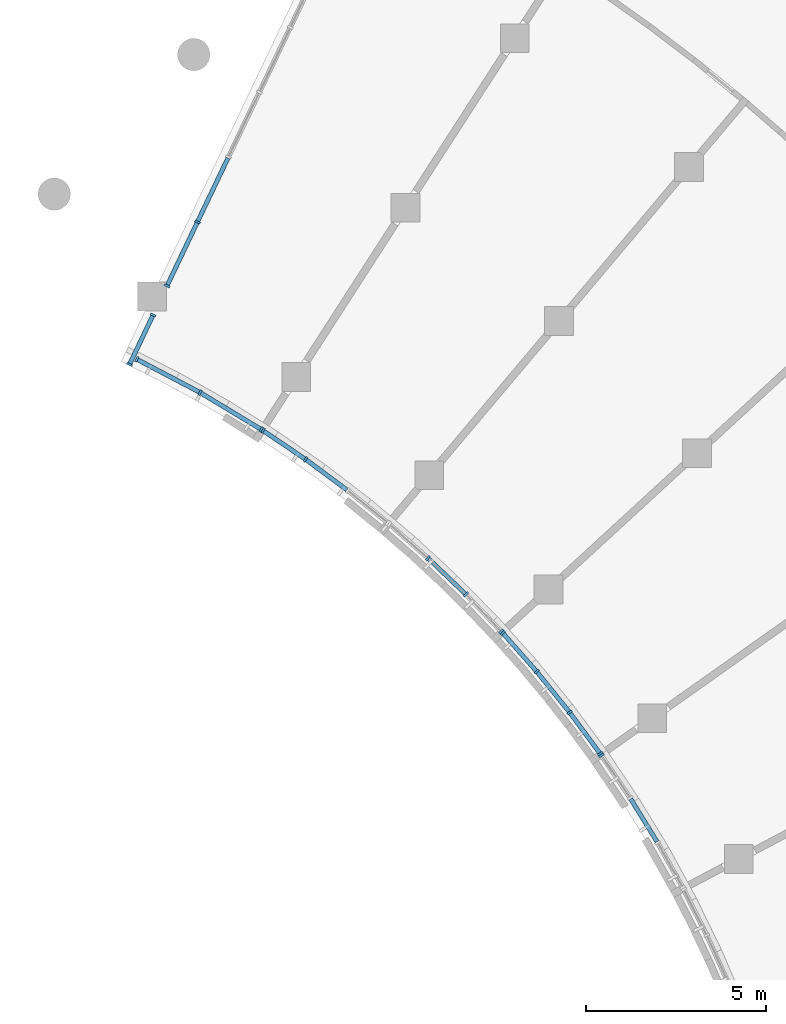
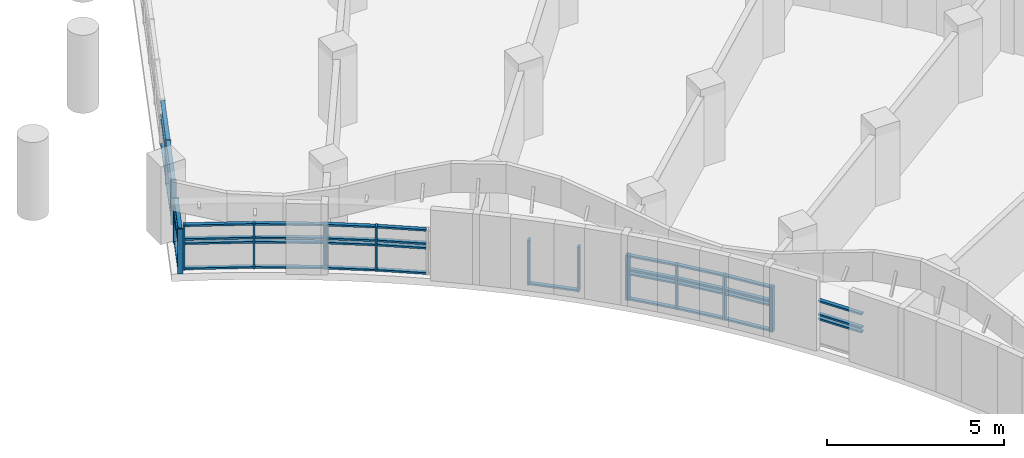
# One storey, part 7 of 89: 61 members, 7 elements without a shape of their own.
"""IFC4 building model written with IfcOpenShell, lengths in metres."""

from ifc_helpers import new_model, si_unit, direction, frame, origin, origin_2d, place, context, subcontext, project, spatial, rectangle, extrude, material, material_profile, profile_set, type_object, element, aggregate, save


model = new_model("IFC4")

# Units and contexts
model_context = context("Model", 3, precision=1e-05, world=origin(), true_north=direction((0.0, 1.0)))
body_context = subcontext(model_context, "Body", "Model", "MODEL_VIEW")
ifc_project = project(units=[si_unit("LENGTHUNIT", "METRE"), si_unit("AREAUNIT", "SQUARE_METRE"), si_unit("VOLUMEUNIT", "CUBIC_METRE"), si_unit("PLANEANGLEUNIT", "RADIAN"), si_unit("MASSUNIT", "GRAM", prefix="KILO")], contexts=[model_context])

# Site, building, storey
site_placement = place(None, origin())
site = spatial("IfcSite", under=ifc_project, at=site_placement, CompositionType="ELEMENT")
building_placement = place(site_placement, origin())
building = spatial("IfcBuilding", under=site, at=building_placement, Name="Bougainvillea Quay General Hospital", CompositionType="ELEMENT")
storey_placement = place(building_placement, frame((0.0, 0.0, 9.89990234375)))
storey = spatial("IfcBuildingStorey", under=building, at=storey_placement, Name="L01M", CompositionType="ELEMENT", Elevation=9.89990234375)

# Curtain wall, members
ifc_material_1 = material(Name="Aluminium curtain wall system, powder-coated glazed", Category="aluminium")
curtain_wall_type_1 = type_object("IfcCurtainWallType", Name="Unitised curtain wall CW-1997", PredefinedType="NOTDEFINED", material=ifc_material_1)
curtain_wall_1_placement = place(storey_placement, origin())
curtain_wall_1 = element("IfcCurtainWall", 1, at=curtain_wall_1_placement, inside=storey, type_object=curtain_wall_type_1, Name="CW-AE 02", PredefinedType="NOTDEFINED")
ifc_material_2 = material(Name="Aluminium mullion, powder-coated charcoal", Category="aluminium")
ifc_material_profile_1 = material_profile(ifc_material_2, rectangle(XDim=0.159912109375, YDim=0.06005859375, at=origin_2d()))
ifc_profile_set_1 = profile_set([ifc_material_profile_1], Name="Aluminium mullion, powder-coated charcoal")
member_type_1 = type_object("IfcMemberType", Name="Curtain wall mullion 160x60", PredefinedType="MULLION", material=ifc_profile_set_1)
member_1_placement = place(storey_placement, frame((125.9638671875, 56.566162109375, 0.0), z_axis=(0.0, 0.0, 1.0), x_axis=(0.902578440897, -0.430525444112, 0.0)))
member_1 = element("IfcMember", 2, at=member_1_placement, type_object=member_type_1, Name="CW-AE mullion 10", PredefinedType="MULLION", context=body_context, shape_type="SweptSolid", body=[
    extrude(rectangle(XDim=0.159912109375, YDim=0.06005859375, at=origin_2d()), origin(), (0.0, 0.0, 1.0), 1.550048828125),
])
member_2_placement = place(storey_placement, frame((125.117431640625, 54.79150390625, 0.0), z_axis=(0.0, 0.0, 1.0), x_axis=(0.902578440897, -0.430525444112, 0.0)))
member_2 = element("IfcMember", 3, at=member_2_placement, type_object=member_type_1, Name="CW-AE mullion 11", PredefinedType="MULLION", context=body_context, shape_type="SweptSolid", body=[
    extrude(rectangle(XDim=0.159912109375, YDim=0.06005859375, at=origin_2d()), origin(), (0.0, 0.0, 1.0), 1.550048828125),
])

curtain_wall_type_2 = type_object("IfcCurtainWallType", Name="Unitised curtain wall CW-1580", PredefinedType="NOTDEFINED", material=ifc_material_1)
curtain_wall_2_placement = place(storey_placement, origin())
curtain_wall_2 = element("IfcCurtainWall", 4, at=curtain_wall_2_placement, inside=storey, type_object=curtain_wall_type_2, Name="CW-AE 03", PredefinedType="NOTDEFINED")
member_3_placement = place(storey_placement, frame((124.72998046875, 53.979248046875, 0.0), z_axis=(0.0, 0.0, 1.0), x_axis=(0.902578440897, -0.430525444112, 0.0)))
member_3 = element("IfcMember", 5, at=member_3_placement, type_object=member_type_1, Name="CW-AE mullion 1", PredefinedType="MULLION", context=body_context, shape_type="SweptSolid", body=[
    extrude(rectangle(XDim=0.159912109375, YDim=0.06005859375, at=origin_2d()), origin(), (0.0, 0.0, 1.0), 1.550048828125),
])
member_4_placement = place(storey_placement, frame((124.075439453125, 52.607421875, 0.0), z_axis=(0.0, 0.0, 1.0), x_axis=(0.902578440897, -0.430525444112, 0.0)))
member_4 = element("IfcMember", 6, at=member_4_placement, type_object=member_type_1, Name="CW-AE mullion 2", PredefinedType="MULLION", context=body_context, shape_type="SweptSolid", body=[
    extrude(rectangle(XDim=0.159912109375, YDim=0.06005859375, at=origin_2d()), origin(), (0.0, 0.0, 1.0), 1.550048828125),
])

curtain_wall_type_3 = type_object("IfcCurtainWallType", Name="Unitised curtain wall CW-2100", PredefinedType="NOTDEFINED", material=ifc_material_1)
curtain_wall_3_placement = place(storey_placement, origin())
curtain_wall_3 = element("IfcCurtainWall", 7, at=curtain_wall_3_placement, inside=storey, type_object=curtain_wall_type_3, Name="CW-E01 a12b0", PredefinedType="NOTDEFINED")
member_5_placement = place(storey_placement, frame((124.279541015625, 52.750732421875, 0.0), z_axis=(0.0, 0.0, 1.0), x_axis=(0.46572625668, 0.884928841116, 0.0)))
member_5 = element("IfcMember", 8, at=member_5_placement, type_object=member_type_1, Name="CW-E01 mullion 1", PredefinedType="MULLION", context=body_context, shape_type="SweptSolid", body=[
    extrude(rectangle(XDim=0.159912109375, YDim=0.06005859375, at=origin_2d()), origin(), (0.0, 0.0, 1.0), 1.550048828125),
])
member_6_placement = place(storey_placement, frame((126.035400390625, 51.82666015625, 0.0), z_axis=(0.0, 0.0, 1.0), x_axis=(0.491544628503, 0.870852385993, 0.0)))
member_6 = element("IfcMember", 9, at=member_6_placement, type_object=member_type_1, Name="CW-E01 mullion 2", PredefinedType="MULLION", context=body_context, shape_type="SweptSolid", body=[
    extrude(rectangle(XDim=0.159912109375, YDim=0.06005859375, at=origin_2d()), origin(), (0.0, 0.0, 1.0), 1.550048828125),
])
member_7_placement = place(storey_placement, frame((127.73388671875, 50.801025390625, 0.0), z_axis=(0.0, 0.0, 1.0), x_axis=(0.516937944525, 0.856022874409, 0.0)))
member_7 = element("IfcMember", 10, at=member_7_placement, type_object=member_type_1, Name="CW-E01 mullion 3", PredefinedType="MULLION", context=body_context, shape_type="SweptSolid", body=[
    extrude(rectangle(XDim=0.159912109375, YDim=0.06005859375, at=origin_2d()), origin(), (0.0, 0.0, 1.0), 1.550048828125),
])

curtain_wall_4_placement = place(storey_placement, origin())
curtain_wall_4 = element("IfcCurtainWall", 11, at=curtain_wall_4_placement, inside=storey, type_object=curtain_wall_type_3, Name="CW-E02 a12b1", PredefinedType="NOTDEFINED")
member_8_placement = place(storey_placement, frame((127.784423828125, 50.7685546875, 0.0), z_axis=(0.0, 0.0, 1.0), x_axis=(0.559636552705, 0.828738154592, 0.0)))
member_8 = element("IfcMember", 12, at=member_8_placement, type_object=member_type_1, Name="CW-E02 mullion 1", PredefinedType="MULLION", context=body_context, shape_type="SweptSolid", body=[
    extrude(rectangle(XDim=0.159912109375, YDim=0.06005859375, at=origin_2d()), origin(), (0.0, 0.0, 1.0), 1.550048828125),
])
member_9_placement = place(storey_placement, frame((128.966796875, 49.97021484375, 0.0), z_axis=(0.0, 0.0, 1.0), x_axis=(0.577135687937, 0.816648270499, 0.0)))
member_9 = element("IfcMember", 13, at=member_9_placement, type_object=member_type_1, Name="CW-E02 mullion 2", PredefinedType="MULLION", context=body_context, shape_type="SweptSolid", body=[
    extrude(rectangle(XDim=0.159912109375, YDim=0.06005859375, at=origin_2d()), origin(), (0.0, 0.0, 1.0), 1.550048828125),
])

curtain_wall_5_placement = place(storey_placement, origin())
curtain_wall_5 = element("IfcCurtainWall", 14, at=curtain_wall_5_placement, inside=storey, type_object=curtain_wall_type_3, Name="CW-E03 a12b2", PredefinedType="NOTDEFINED")
member_10_placement = place(storey_placement, frame((132.365966796875, 47.226806640625, 0.0), z_axis=(0.0, 0.0, 1.0), x_axis=(0.676379052625, 0.736553716419, 0.0)))
member_10 = element("IfcMember", 15, at=member_10_placement, type_object=member_type_1, Name="CW-E03 mullion 2", PredefinedType="MULLION", context=body_context, shape_type="SweptSolid", body=[
    extrude(rectangle(XDim=0.159912109375, YDim=0.06005859375, at=origin_2d()), origin(), (0.0, 0.0, 1.0), 1.550048828125),
])
member_11_placement = place(storey_placement, frame((133.417724609375, 46.218994140625, 0.0), z_axis=(0.0, 0.0, 1.0), x_axis=(0.707090325877, 0.707123236113, 0.0)))
member_11 = element("IfcMember", 16, at=member_11_placement, type_object=member_type_1, Name="CW-E03 mullion 3", PredefinedType="MULLION", context=body_context, shape_type="SweptSolid", body=[
    extrude(rectangle(XDim=0.159912109375, YDim=0.06005859375, at=origin_2d()), origin(), (0.0, 0.0, 1.0), 1.550048828125),
])
member_12_placement = place(storey_placement, frame((134.405029296875, 45.188720703125, 0.0), z_axis=(0.0, 0.0, 1.0), x_axis=(0.721969584803, 0.691924792604, 0.0)))
member_12 = element("IfcMember", 17, at=member_12_placement, type_object=member_type_1, Name="CW-E03 mullion 4", PredefinedType="MULLION", context=body_context, shape_type="SweptSolid", body=[
    extrude(rectangle(XDim=0.159912109375, YDim=0.06005859375, at=origin_2d()), origin(), (0.0, 0.0, 1.0), 1.550048828125),
])

curtain_wall_6_placement = place(storey_placement, origin())
curtain_wall_6 = element("IfcCurtainWall", 18, at=curtain_wall_6_placement, inside=storey, type_object=curtain_wall_type_3, Name="CW-E04 a12b3", PredefinedType="NOTDEFINED")
member_13_placement = place(storey_placement, frame((134.445556640625, 45.14453125, 0.0), z_axis=(0.0, 0.0, 1.0), x_axis=(0.750741694576, 0.660595873455, 0.0)))
member_13 = element("IfcMember", 19, at=member_13_placement, type_object=member_type_1, Name="CW-E04 mullion 1", PredefinedType="MULLION", context=body_context, shape_type="SweptSolid", body=[
    extrude(rectangle(XDim=0.159912109375, YDim=0.06005859375, at=origin_2d()), origin(), (0.0, 0.0, 1.0), 1.550048828125),
])
member_14_placement = place(storey_placement, frame((135.38818359375, 44.073486328125, 0.0), z_axis=(0.0, 0.0, 1.0), x_axis=(0.764621529328, 0.644479570575, 0.0)))
member_14 = element("IfcMember", 20, at=member_14_placement, type_object=member_type_1, Name="CW-E04 mullion 2", PredefinedType="MULLION", context=body_context, shape_type="SweptSolid", body=[
    extrude(rectangle(XDim=0.159912109375, YDim=0.06005859375, at=origin_2d()), origin(), (0.0, 0.0, 1.0), 1.550048828125),
])
member_15_placement = place(storey_placement, frame((136.30322265625, 42.939697265625, 0.0), z_axis=(0.0, 0.0, 1.0), x_axis=(0.791337366302, 0.611379728723, 0.0)))
member_15 = element("IfcMember", 21, at=member_15_placement, type_object=member_type_1, Name="CW-E04 mullion 3", PredefinedType="MULLION", context=body_context, shape_type="SweptSolid", body=[
    extrude(rectangle(XDim=0.159912109375, YDim=0.06005859375, at=origin_2d()), origin(), (0.0, 0.0, 1.0), 1.550048828125),
])
member_16_placement = place(storey_placement, frame((137.1513671875, 41.792236328125, 0.0), z_axis=(0.0, 0.0, 1.0), x_axis=(0.804161282658, 0.594411163652, 0.0)))
member_16 = element("IfcMember", 22, at=member_16_placement, type_object=member_type_1, Name="CW-E04 mullion 4", PredefinedType="MULLION", context=body_context, shape_type="SweptSolid", body=[
    extrude(rectangle(XDim=0.159912109375, YDim=0.06005859375, at=origin_2d()), origin(), (0.0, 0.0, 1.0), 1.550048828125),
])

# Curtain wall, member
curtain_wall_7_placement = place(storey_placement, origin())
curtain_wall_7 = element("IfcCurtainWall", 23, at=curtain_wall_7_placement, inside=storey, type_object=curtain_wall_type_3, Name="CW-E05 a12b4", PredefinedType="NOTDEFINED")
member_17_placement = place(storey_placement, frame((137.18603515625, 41.743408203125, 0.0), z_axis=(0.0, 0.0, 1.0), x_axis=(0.828712107033, 0.559675123314, 0.0)))
member_17 = element("IfcMember", 24, at=member_17_placement, type_object=member_type_1, Name="CW-E05 mullion 1", PredefinedType="MULLION", context=body_context, shape_type="SweptSolid", body=[
    extrude(rectangle(XDim=0.159912109375, YDim=0.06005859375, at=origin_2d()), origin(), (0.0, 0.0, 1.0), 1.550048828125),
])

# Member
ifc_material_3 = material(Name="Aluminium transom, powder-coated charcoal", Category="aluminium")
ifc_material_profile_2 = material_profile(ifc_material_3, rectangle(XDim=0.1201171875, YDim=0.06005859375, at=origin_2d()))
ifc_profile_set_2 = profile_set([ifc_material_profile_2], Name="Aluminium transom, powder-coated charcoal")
member_type_2 = type_object("IfcMemberType", Name="Curtain wall transom 120x60", PredefinedType="USERDEFINED", material=ifc_profile_set_2)
member_18_placement = place(storey_placement, frame((126.810302734375, 58.340576171875, 0.030029296875), z_axis=(-0.430491490236, -0.902594635944, 0.0), x_axis=(0.902594635944, -0.430491490236, 0.0)))
member_18 = element("IfcMember", 25, at=member_18_placement, type_object=member_type_2, Name="CW-AE transom 9.1", ObjectType="TRANSOM", PredefinedType="USERDEFINED", context=body_context, shape_type="SweptSolid", body=[
    extrude(rectangle(XDim=0.1201171875, YDim=0.06005859375, at=origin_2d()), origin(), (0.0, 0.0, 1.0), 1.93603515625),
])

member_19_placement = place(storey_placement, frame((126.810302734375, 58.340576171875, 0.900146484375), z_axis=(-0.430491490236, -0.902594635944, 0.0), x_axis=(0.902594635944, -0.430491490236, 0.0)))
member_19 = element("IfcMember", 26, at=member_19_placement, type_object=member_type_2, Name="CW-AE transom 9.2", ObjectType="TRANSOM", PredefinedType="USERDEFINED", context=body_context, shape_type="SweptSolid", body=[
    extrude(rectangle(XDim=0.1201171875, YDim=0.06005859375, at=origin_2d()), origin(), (0.0, 0.0, 1.0), 1.93603515625),
])

member_20_placement = place(storey_placement, frame((126.810302734375, 58.340576171875, 1.050048828125), z_axis=(-0.430491490236, -0.902594635944, 0.0), x_axis=(0.902594635944, -0.430491490236, 0.0)))
member_20 = element("IfcMember", 27, at=member_20_placement, type_object=member_type_2, Name="CW-AE transom 9.3", ObjectType="TRANSOM", PredefinedType="USERDEFINED", context=body_context, shape_type="SweptSolid", body=[
    extrude(rectangle(XDim=0.1201171875, YDim=0.06005859375, at=origin_2d()), origin(), (0.0, 0.0, 1.0), 1.93603515625),
])

member_21_placement = place(storey_placement, frame((126.810302734375, 58.340576171875, 1.52001953125), z_axis=(-0.430491490236, -0.902594635944, 0.0), x_axis=(0.902594635944, -0.430491490236, 0.0)))
member_21 = element("IfcMember", 28, at=member_21_placement, type_object=member_type_2, Name="CW-AE transom 9.4", ObjectType="TRANSOM", PredefinedType="USERDEFINED", context=body_context, shape_type="SweptSolid", body=[
    extrude(rectangle(XDim=0.1201171875, YDim=0.06005859375, at=origin_2d()), origin(), (0.0, 0.0, 1.0), 1.93603515625),
])

member_22_placement = place(storey_placement, frame((125.950927734375, 56.5390625, 0.030029296875), z_axis=(-0.430485367667, -0.90259755607, 0.0), x_axis=(0.90259755607, -0.430485367667, 0.0)))
member_22 = element("IfcMember", 29, at=member_22_placement, type_object=member_type_2, Name="CW-AE transom 10.1", ObjectType="TRANSOM", PredefinedType="USERDEFINED", context=body_context, shape_type="SweptSolid", body=[
    extrude(rectangle(XDim=0.1201171875, YDim=0.06005859375, at=origin_2d()), origin(), (0.0, 0.0, 1.0), 1.906005859375),
])

member_23_placement = place(storey_placement, frame((125.950927734375, 56.5390625, 0.900146484375), z_axis=(-0.430485367667, -0.90259755607, 0.0), x_axis=(0.90259755607, -0.430485367667, 0.0)))
member_23 = element("IfcMember", 30, at=member_23_placement, type_object=member_type_2, Name="CW-AE transom 10.2", ObjectType="TRANSOM", PredefinedType="USERDEFINED", context=body_context, shape_type="SweptSolid", body=[
    extrude(rectangle(XDim=0.1201171875, YDim=0.06005859375, at=origin_2d()), origin(), (0.0, 0.0, 1.0), 1.906005859375),
])

member_24_placement = place(storey_placement, frame((125.950927734375, 56.5390625, 1.050048828125), z_axis=(-0.430485367667, -0.90259755607, 0.0), x_axis=(0.90259755607, -0.430485367667, 0.0)))
member_24 = element("IfcMember", 31, at=member_24_placement, type_object=member_type_2, Name="CW-AE transom 10.3", ObjectType="TRANSOM", PredefinedType="USERDEFINED", context=body_context, shape_type="SweptSolid", body=[
    extrude(rectangle(XDim=0.1201171875, YDim=0.06005859375, at=origin_2d()), origin(), (0.0, 0.0, 1.0), 1.906005859375),
])

member_25_placement = place(storey_placement, frame((125.950927734375, 56.5390625, 1.52001953125), z_axis=(-0.430485367667, -0.90259755607, 0.0), x_axis=(0.90259755607, -0.430485367667, 0.0)))
member_25 = element("IfcMember", 32, at=member_25_placement, type_object=member_type_2, Name="CW-AE transom 10.4", ObjectType="TRANSOM", PredefinedType="USERDEFINED", context=body_context, shape_type="SweptSolid", body=[
    extrude(rectangle(XDim=0.1201171875, YDim=0.06005859375, at=origin_2d()), origin(), (0.0, 0.0, 1.0), 1.906005859375),
])

aggregate(curtain_wall_1, [member_1, member_2, member_18, member_19, member_20, member_21, member_22, member_23, member_24, member_25])

member_26_placement = place(storey_placement, frame((124.717041015625, 53.9521484375, 0.030029296875), z_axis=(-0.430615048018, -0.902535694818, 0.0), x_axis=(0.902535694818, -0.430615048018, 0.0)))
member_26 = element("IfcMember", 33, at=member_26_placement, type_object=member_type_2, Name="CW-AE transom 1.1", ObjectType="TRANSOM", PredefinedType="USERDEFINED", context=body_context, shape_type="SweptSolid", body=[
    extrude(rectangle(XDim=0.1201171875, YDim=0.06005859375, at=origin_2d()), origin(), (0.0, 0.0, 1.0), 1.4599609375),
])

member_27_placement = place(storey_placement, frame((124.717041015625, 53.9521484375, 0.900146484375), z_axis=(-0.430615048018, -0.902535694818, 0.0), x_axis=(0.902535694818, -0.430615048018, 0.0)))
member_27 = element("IfcMember", 34, at=member_27_placement, type_object=member_type_2, Name="CW-AE transom 1.2", ObjectType="TRANSOM", PredefinedType="USERDEFINED", context=body_context, shape_type="SweptSolid", body=[
    extrude(rectangle(XDim=0.1201171875, YDim=0.06005859375, at=origin_2d()), origin(), (0.0, 0.0, 1.0), 1.4599609375),
])

member_28_placement = place(storey_placement, frame((124.717041015625, 53.9521484375, 1.050048828125), z_axis=(-0.430615048018, -0.902535694818, 0.0), x_axis=(0.902535694818, -0.430615048018, 0.0)))
member_28 = element("IfcMember", 35, at=member_28_placement, type_object=member_type_2, Name="CW-AE transom 1.3", ObjectType="TRANSOM", PredefinedType="USERDEFINED", context=body_context, shape_type="SweptSolid", body=[
    extrude(rectangle(XDim=0.1201171875, YDim=0.06005859375, at=origin_2d()), origin(), (0.0, 0.0, 1.0), 1.4599609375),
])

member_29_placement = place(storey_placement, frame((124.717041015625, 53.9521484375, 1.52001953125), z_axis=(-0.430615048018, -0.902535694818, 0.0), x_axis=(0.902535694818, -0.430615048018, 0.0)))
member_29 = element("IfcMember", 36, at=member_29_placement, type_object=member_type_2, Name="CW-AE transom 1.4", ObjectType="TRANSOM", PredefinedType="USERDEFINED", context=body_context, shape_type="SweptSolid", body=[
    extrude(rectangle(XDim=0.1201171875, YDim=0.06005859375, at=origin_2d()), origin(), (0.0, 0.0, 1.0), 1.4599609375),
])

aggregate(curtain_wall_2, [member_3, member_4, member_26, member_27, member_28, member_29])

member_30_placement = place(storey_placement, frame((124.30615234375, 52.73681640625, 0.030029296875), z_axis=(0.884893449726, -0.465793497841, 0.0), x_axis=(0.465793497841, 0.884893449726, 0.0)))
member_30 = element("IfcMember", 37, at=member_30_placement, type_object=member_type_2, Name="CW-E01 transom 1.1", ObjectType="TRANSOM", PredefinedType="USERDEFINED", context=body_context, shape_type="SweptSolid", body=[
    extrude(rectangle(XDim=0.1201171875, YDim=0.06005859375, at=origin_2d()), origin(), (0.0, 0.0, 1.0), 1.924072265625),
])

member_31_placement = place(storey_placement, frame((124.30615234375, 52.73681640625, 0.900146484375), z_axis=(0.884893449726, -0.465793497841, 0.0), x_axis=(0.465793497841, 0.884893449726, 0.0)))
member_31 = element("IfcMember", 38, at=member_31_placement, type_object=member_type_2, Name="CW-E01 transom 1.2", ObjectType="TRANSOM", PredefinedType="USERDEFINED", context=body_context, shape_type="SweptSolid", body=[
    extrude(rectangle(XDim=0.1201171875, YDim=0.06005859375, at=origin_2d()), origin(), (0.0, 0.0, 1.0), 1.924072265625),
])

member_32_placement = place(storey_placement, frame((124.30615234375, 52.73681640625, 1.050048828125), z_axis=(0.884893449726, -0.465793497841, 0.0), x_axis=(0.465793497841, 0.884893449726, 0.0)))
member_32 = element("IfcMember", 39, at=member_32_placement, type_object=member_type_2, Name="CW-E01 transom 1.3", ObjectType="TRANSOM", PredefinedType="USERDEFINED", context=body_context, shape_type="SweptSolid", body=[
    extrude(rectangle(XDim=0.1201171875, YDim=0.06005859375, at=origin_2d()), origin(), (0.0, 0.0, 1.0), 1.924072265625),
])

member_33_placement = place(storey_placement, frame((124.30615234375, 52.73681640625, 1.52001953125), z_axis=(0.884893449726, -0.465793497841, 0.0), x_axis=(0.465793497841, 0.884893449726, 0.0)))
member_33 = element("IfcMember", 40, at=member_33_placement, type_object=member_type_2, Name="CW-E01 transom 1.4", ObjectType="TRANSOM", PredefinedType="USERDEFINED", context=body_context, shape_type="SweptSolid", body=[
    extrude(rectangle(XDim=0.1201171875, YDim=0.06005859375, at=origin_2d()), origin(), (0.0, 0.0, 1.0), 1.924072265625),
])

member_34_placement = place(storey_placement, frame((126.06103515625, 51.81103515625, 0.030029296875), z_axis=(0.856045378247, -0.516900677483, 0.0), x_axis=(0.516900677483, 0.856045378247, 0.0)))
member_34 = element("IfcMember", 41, at=member_34_placement, type_object=member_type_2, Name="CW-E01 transom 2.1", ObjectType="TRANSOM", PredefinedType="USERDEFINED", context=body_context, shape_type="SweptSolid", body=[
    extrude(rectangle(XDim=0.1201171875, YDim=0.06005859375, at=origin_2d()), origin(), (0.0, 0.0, 1.0), 1.92431640625),
])

member_35_placement = place(storey_placement, frame((126.06103515625, 51.81103515625, 0.900146484375), z_axis=(0.856045378247, -0.516900677483, 0.0), x_axis=(0.516900677483, 0.856045378247, 0.0)))
member_35 = element("IfcMember", 42, at=member_35_placement, type_object=member_type_2, Name="CW-E01 transom 2.2", ObjectType="TRANSOM", PredefinedType="USERDEFINED", context=body_context, shape_type="SweptSolid", body=[
    extrude(rectangle(XDim=0.1201171875, YDim=0.06005859375, at=origin_2d()), origin(), (0.0, 0.0, 1.0), 1.92431640625),
])

member_36_placement = place(storey_placement, frame((126.06103515625, 51.81103515625, 1.050048828125), z_axis=(0.856045378247, -0.516900677483, 0.0), x_axis=(0.516900677483, 0.856045378247, 0.0)))
member_36 = element("IfcMember", 43, at=member_36_placement, type_object=member_type_2, Name="CW-E01 transom 2.3", ObjectType="TRANSOM", PredefinedType="USERDEFINED", context=body_context, shape_type="SweptSolid", body=[
    extrude(rectangle(XDim=0.1201171875, YDim=0.06005859375, at=origin_2d()), origin(), (0.0, 0.0, 1.0), 1.92431640625),
])

member_37_placement = place(storey_placement, frame((126.06103515625, 51.81103515625, 1.52001953125), z_axis=(0.856045378247, -0.516900677483, 0.0), x_axis=(0.516900677483, 0.856045378247, 0.0)))
member_37 = element("IfcMember", 44, at=member_37_placement, type_object=member_type_2, Name="CW-E01 transom 2.4", ObjectType="TRANSOM", PredefinedType="USERDEFINED", context=body_context, shape_type="SweptSolid", body=[
    extrude(rectangle(XDim=0.1201171875, YDim=0.06005859375, at=origin_2d()), origin(), (0.0, 0.0, 1.0), 1.92431640625),
])

aggregate(curtain_wall_3, [member_5, member_6, member_7, member_30, member_31, member_32, member_33, member_34, member_35, member_36, member_37])

member_38_placement = place(storey_placement, frame((127.809326171875, 50.751953125, 0.030029296875), z_axis=(0.828627038145, -0.559801064356, 0.0), x_axis=(0.559801064356, 0.828627038145, 0.0)))
member_38 = element("IfcMember", 45, at=member_38_placement, type_object=member_type_2, Name="CW-E02 transom 1.1", ObjectType="TRANSOM", PredefinedType="USERDEFINED", context=body_context, shape_type="SweptSolid", body=[
    extrude(rectangle(XDim=0.1201171875, YDim=0.06005859375, at=origin_2d()), origin(), (0.0, 0.0, 1.0), 1.36669921875),
])

member_39_placement = place(storey_placement, frame((127.809326171875, 50.751953125, 0.900146484375), z_axis=(0.828627038145, -0.559801064356, 0.0), x_axis=(0.559801064356, 0.828627038145, 0.0)))
member_39 = element("IfcMember", 46, at=member_39_placement, type_object=member_type_2, Name="CW-E02 transom 1.2", ObjectType="TRANSOM", PredefinedType="USERDEFINED", context=body_context, shape_type="SweptSolid", body=[
    extrude(rectangle(XDim=0.1201171875, YDim=0.06005859375, at=origin_2d()), origin(), (0.0, 0.0, 1.0), 1.36669921875),
])

member_40_placement = place(storey_placement, frame((127.809326171875, 50.751953125, 1.050048828125), z_axis=(0.828627038145, -0.559801064356, 0.0), x_axis=(0.559801064356, 0.828627038145, 0.0)))
member_40 = element("IfcMember", 47, at=member_40_placement, type_object=member_type_2, Name="CW-E02 transom 1.3", ObjectType="TRANSOM", PredefinedType="USERDEFINED", context=body_context, shape_type="SweptSolid", body=[
    extrude(rectangle(XDim=0.1201171875, YDim=0.06005859375, at=origin_2d()), origin(), (0.0, 0.0, 1.0), 1.36669921875),
])

member_41_placement = place(storey_placement, frame((127.809326171875, 50.751953125, 1.52001953125), z_axis=(0.828627038145, -0.559801064356, 0.0), x_axis=(0.559801064356, 0.828627038145, 0.0)))
member_41 = element("IfcMember", 48, at=member_41_placement, type_object=member_type_2, Name="CW-E02 transom 1.4", ObjectType="TRANSOM", PredefinedType="USERDEFINED", context=body_context, shape_type="SweptSolid", body=[
    extrude(rectangle(XDim=0.1201171875, YDim=0.06005859375, at=origin_2d()), origin(), (0.0, 0.0, 1.0), 1.36669921875),
])

member_42_placement = place(storey_placement, frame((128.990966796875, 49.952392578125, 0.030029296875), z_axis=(0.804154347071, -0.594420546488, 0.0), x_axis=(0.594420546488, 0.804154347071, 0.0)))
member_42 = element("IfcMember", 49, at=member_42_placement, type_object=member_type_2, Name="CW-E02 transom 2.1", ObjectType="TRANSOM", PredefinedType="USERDEFINED", context=body_context, shape_type="SweptSolid", body=[
    extrude(rectangle(XDim=0.1201171875, YDim=0.06005859375, at=origin_2d()), origin(), (0.0, 0.0, 1.0), 1.39697265625),
])

member_43_placement = place(storey_placement, frame((128.990966796875, 49.952392578125, 0.900146484375), z_axis=(0.804154347071, -0.594420546488, 0.0), x_axis=(0.594420546488, 0.804154347071, 0.0)))
member_43 = element("IfcMember", 50, at=member_43_placement, type_object=member_type_2, Name="CW-E02 transom 2.2", ObjectType="TRANSOM", PredefinedType="USERDEFINED", context=body_context, shape_type="SweptSolid", body=[
    extrude(rectangle(XDim=0.1201171875, YDim=0.06005859375, at=origin_2d()), origin(), (0.0, 0.0, 1.0), 1.39697265625),
])

member_44_placement = place(storey_placement, frame((128.990966796875, 49.952392578125, 1.050048828125), z_axis=(0.804154347071, -0.594420546488, 0.0), x_axis=(0.594420546488, 0.804154347071, 0.0)))
member_44 = element("IfcMember", 51, at=member_44_placement, type_object=member_type_2, Name="CW-E02 transom 2.3", ObjectType="TRANSOM", PredefinedType="USERDEFINED", context=body_context, shape_type="SweptSolid", body=[
    extrude(rectangle(XDim=0.1201171875, YDim=0.06005859375, at=origin_2d()), origin(), (0.0, 0.0, 1.0), 1.39697265625),
])

member_45_placement = place(storey_placement, frame((128.990966796875, 49.952392578125, 1.52001953125), z_axis=(0.804154347071, -0.594420546488, 0.0), x_axis=(0.594420546488, 0.804154347071, 0.0)))
member_45 = element("IfcMember", 52, at=member_45_placement, type_object=member_type_2, Name="CW-E02 transom 2.4", ObjectType="TRANSOM", PredefinedType="USERDEFINED", context=body_context, shape_type="SweptSolid", body=[
    extrude(rectangle(XDim=0.1201171875, YDim=0.06005859375, at=origin_2d()), origin(), (0.0, 0.0, 1.0), 1.39697265625),
])

aggregate(curtain_wall_4, [member_8, member_9, member_38, member_39, member_40, member_41, member_42, member_43, member_44, member_45])

member_46_placement = place(storey_placement, frame((132.3876953125, 47.2060546875, 0.030029296875), z_axis=(0.722064602887, -0.69182563501, 0.0), x_axis=(0.69182563501, 0.722064602887, 0.0)))
member_46 = element("IfcMember", 53, at=member_46_placement, type_object=member_type_2, Name="CW-E03 transom 2.1", ObjectType="TRANSOM", PredefinedType="USERDEFINED", context=body_context, shape_type="SweptSolid", body=[
    extrude(rectangle(XDim=0.1201171875, YDim=0.06005859375, at=origin_2d()), origin(), (0.0, 0.0, 1.0), 1.396728515625),
])

aggregate(curtain_wall_5, [member_10, member_11, member_12, member_46])

member_47_placement = place(storey_placement, frame((134.465576171875, 45.1220703125, 0.030029296875), z_axis=(0.660563464246, -0.750770210986, 0.0), x_axis=(0.750770210986, 0.660563464246, 0.0)))
member_47 = element("IfcMember", 54, at=member_47_placement, type_object=member_type_2, Name="CW-E04 transom 1.1", ObjectType="TRANSOM", PredefinedType="USERDEFINED", context=body_context, shape_type="SweptSolid", body=[
    extrude(rectangle(XDim=0.1201171875, YDim=0.06005859375, at=origin_2d()), origin(), (0.0, 0.0, 1.0), 1.36669921875),
])

member_48_placement = place(storey_placement, frame((134.465576171875, 45.1220703125, 0.900146484375), z_axis=(0.660563464246, -0.750770210986, 0.0), x_axis=(0.750770210986, 0.660563464246, 0.0)))
member_48 = element("IfcMember", 55, at=member_48_placement, type_object=member_type_2, Name="CW-E04 transom 1.2", ObjectType="TRANSOM", PredefinedType="USERDEFINED", context=body_context, shape_type="SweptSolid", body=[
    extrude(rectangle(XDim=0.1201171875, YDim=0.06005859375, at=origin_2d()), origin(), (0.0, 0.0, 1.0), 1.36669921875),
])

member_49_placement = place(storey_placement, frame((134.465576171875, 45.1220703125, 1.050048828125), z_axis=(0.660563464246, -0.750770210986, 0.0), x_axis=(0.750770210986, 0.660563464246, 0.0)))
member_49 = element("IfcMember", 56, at=member_49_placement, type_object=member_type_2, Name="CW-E04 transom 1.3", ObjectType="TRANSOM", PredefinedType="USERDEFINED", context=body_context, shape_type="SweptSolid", body=[
    extrude(rectangle(XDim=0.1201171875, YDim=0.06005859375, at=origin_2d()), origin(), (0.0, 0.0, 1.0), 1.36669921875),
])

member_50_placement = place(storey_placement, frame((134.465576171875, 45.1220703125, 1.52001953125), z_axis=(0.660563464246, -0.750770210986, 0.0), x_axis=(0.750770210986, 0.660563464246, 0.0)))
member_50 = element("IfcMember", 57, at=member_50_placement, type_object=member_type_2, Name="CW-E04 transom 1.4", ObjectType="TRANSOM", PredefinedType="USERDEFINED", context=body_context, shape_type="SweptSolid", body=[
    extrude(rectangle(XDim=0.1201171875, YDim=0.06005859375, at=origin_2d()), origin(), (0.0, 0.0, 1.0), 1.36669921875),
])

member_51_placement = place(storey_placement, frame((135.406982421875, 44.050048828125, 0.030029296875), z_axis=(0.628141814812, -0.778098875777, 0.0), x_axis=(0.778098875777, 0.628141814812, 0.0)))
member_51 = element("IfcMember", 58, at=member_51_placement, type_object=member_type_2, Name="CW-E04 transom 2.1", ObjectType="TRANSOM", PredefinedType="USERDEFINED", context=body_context, shape_type="SweptSolid", body=[
    extrude(rectangle(XDim=0.1201171875, YDim=0.06005859375, at=origin_2d()), origin(), (0.0, 0.0, 1.0), 1.39697265625),
])

member_52_placement = place(storey_placement, frame((135.406982421875, 44.050048828125, 0.900146484375), z_axis=(0.628141814812, -0.778098875777, 0.0), x_axis=(0.778098875777, 0.628141814812, 0.0)))
member_52 = element("IfcMember", 59, at=member_52_placement, type_object=member_type_2, Name="CW-E04 transom 2.2", ObjectType="TRANSOM", PredefinedType="USERDEFINED", context=body_context, shape_type="SweptSolid", body=[
    extrude(rectangle(XDim=0.1201171875, YDim=0.06005859375, at=origin_2d()), origin(), (0.0, 0.0, 1.0), 1.39697265625),
])

member_53_placement = place(storey_placement, frame((135.406982421875, 44.050048828125, 1.050048828125), z_axis=(0.628141814812, -0.778098875777, 0.0), x_axis=(0.778098875777, 0.628141814812, 0.0)))
member_53 = element("IfcMember", 60, at=member_53_placement, type_object=member_type_2, Name="CW-E04 transom 2.3", ObjectType="TRANSOM", PredefinedType="USERDEFINED", context=body_context, shape_type="SweptSolid", body=[
    extrude(rectangle(XDim=0.1201171875, YDim=0.06005859375, at=origin_2d()), origin(), (0.0, 0.0, 1.0), 1.39697265625),
])

member_54_placement = place(storey_placement, frame((135.406982421875, 44.050048828125, 1.52001953125), z_axis=(0.628141814812, -0.778098875777, 0.0), x_axis=(0.778098875777, 0.628141814812, 0.0)))
member_54 = element("IfcMember", 61, at=member_54_placement, type_object=member_type_2, Name="CW-E04 transom 2.4", ObjectType="TRANSOM", PredefinedType="USERDEFINED", context=body_context, shape_type="SweptSolid", body=[
    extrude(rectangle(XDim=0.1201171875, YDim=0.06005859375, at=origin_2d()), origin(), (0.0, 0.0, 1.0), 1.39697265625),
])

member_55_placement = place(storey_placement, frame((136.321044921875, 42.91552734375, 0.030029296875), z_axis=(0.594441282639, -0.804139018762, 0.0), x_axis=(0.804139018762, 0.594441282639, 0.0)))
member_55 = element("IfcMember", 62, at=member_55_placement, type_object=member_type_2, Name="CW-E04 transom 3.1", ObjectType="TRANSOM", PredefinedType="USERDEFINED", context=body_context, shape_type="SweptSolid", body=[
    extrude(rectangle(XDim=0.1201171875, YDim=0.06005859375, at=origin_2d()), origin(), (0.0, 0.0, 1.0), 1.366943359375),
])

member_56_placement = place(storey_placement, frame((136.321044921875, 42.91552734375, 0.900146484375), z_axis=(0.594441282639, -0.804139018762, 0.0), x_axis=(0.804139018762, 0.594441282639, 0.0)))
member_56 = element("IfcMember", 63, at=member_56_placement, type_object=member_type_2, Name="CW-E04 transom 3.2", ObjectType="TRANSOM", PredefinedType="USERDEFINED", context=body_context, shape_type="SweptSolid", body=[
    extrude(rectangle(XDim=0.1201171875, YDim=0.06005859375, at=origin_2d()), origin(), (0.0, 0.0, 1.0), 1.366943359375),
])

member_57_placement = place(storey_placement, frame((136.321044921875, 42.91552734375, 1.050048828125), z_axis=(0.594441282639, -0.804139018762, 0.0), x_axis=(0.804139018762, 0.594441282639, 0.0)))
member_57 = element("IfcMember", 64, at=member_57_placement, type_object=member_type_2, Name="CW-E04 transom 3.3", ObjectType="TRANSOM", PredefinedType="USERDEFINED", context=body_context, shape_type="SweptSolid", body=[
    extrude(rectangle(XDim=0.1201171875, YDim=0.06005859375, at=origin_2d()), origin(), (0.0, 0.0, 1.0), 1.366943359375),
])

member_58_placement = place(storey_placement, frame((136.321044921875, 42.91552734375, 1.52001953125), z_axis=(0.594441282639, -0.804139018762, 0.0), x_axis=(0.804139018762, 0.594441282639, 0.0)))
member_58 = element("IfcMember", 65, at=member_58_placement, type_object=member_type_2, Name="CW-E04 transom 3.4", ObjectType="TRANSOM", PredefinedType="USERDEFINED", context=body_context, shape_type="SweptSolid", body=[
    extrude(rectangle(XDim=0.1201171875, YDim=0.06005859375, at=origin_2d()), origin(), (0.0, 0.0, 1.0), 1.366943359375),
])

aggregate(curtain_wall_6, [member_13, member_14, member_15, member_16, member_47, member_48, member_49, member_50, member_51, member_52, member_53, member_54, member_55, member_56, member_57, member_58])

member_59_placement = place(storey_placement, frame((138.000244140625, 40.535400390625, 0.900146484375), z_axis=(0.523921907365, -0.851766303034, 0.0), x_axis=(0.851766303034, 0.523921907365, 0.0)))
member_59 = element("IfcMember", 66, at=member_59_placement, type_object=member_type_2, Name="CW-E05 transom 2.2", ObjectType="TRANSOM", PredefinedType="USERDEFINED", context=body_context, shape_type="SweptSolid", body=[
    extrude(rectangle(XDim=0.1201171875, YDim=0.06005859375, at=origin_2d()), origin(), (0.0, 0.0, 1.0), 1.39697265625),
])

member_60_placement = place(storey_placement, frame((138.000244140625, 40.535400390625, 1.050048828125), z_axis=(0.523921907365, -0.851766303034, 0.0), x_axis=(0.851766303034, 0.523921907365, 0.0)))
member_60 = element("IfcMember", 67, at=member_60_placement, type_object=member_type_2, Name="CW-E05 transom 2.3", ObjectType="TRANSOM", PredefinedType="USERDEFINED", context=body_context, shape_type="SweptSolid", body=[
    extrude(rectangle(XDim=0.1201171875, YDim=0.06005859375, at=origin_2d()), origin(), (0.0, 0.0, 1.0), 1.39697265625),
])

member_61_placement = place(storey_placement, frame((138.000244140625, 40.535400390625, 1.52001953125), z_axis=(0.523921907365, -0.851766303034, 0.0), x_axis=(0.851766303034, 0.523921907365, 0.0)))
member_61 = element("IfcMember", 68, at=member_61_placement, type_object=member_type_2, Name="CW-E05 transom 2.4", ObjectType="TRANSOM", PredefinedType="USERDEFINED", context=body_context, shape_type="SweptSolid", body=[
    extrude(rectangle(XDim=0.1201171875, YDim=0.06005859375, at=origin_2d()), origin(), (0.0, 0.0, 1.0), 1.39697265625),
])

aggregate(curtain_wall_7, [member_17, member_59, member_60, member_61])

save(model, "model.ifc")
